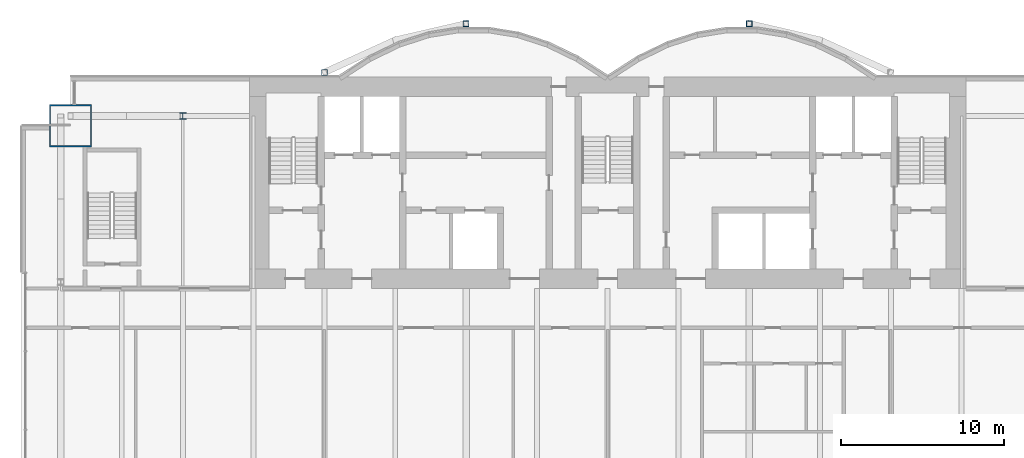
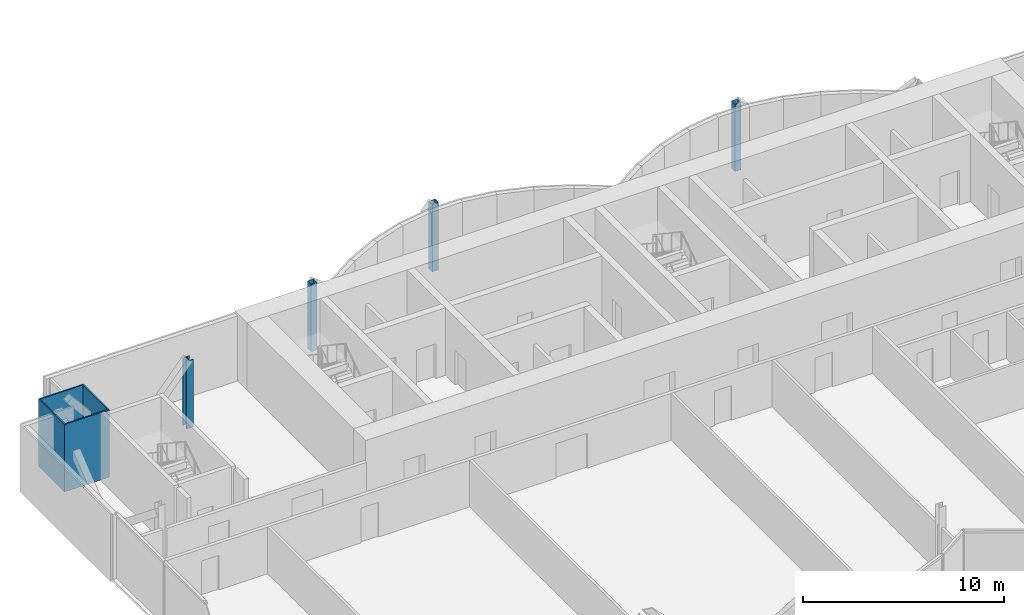
# One storey, part 3 of 21: 5 columns.
"""IFC4 building model written with IfcOpenShell, lengths in metres."""

from ifc_helpers import new_model, si_unit, direction, frame, origin, origin_2d, place, context, subcontext, project, spatial, hollow_rectangle, i_section, extrude, material, material_profile, profile_set, type_object, element, save


model = new_model("IFC4")

# Units and contexts
model_context = context("Model", 3, precision=1e-05, world=origin(), true_north=direction((0.0, 1.0)))
body_context = subcontext(model_context, "Body", "Model", "MODEL_VIEW")
ifc_project = project(units=[si_unit("LENGTHUNIT", "METRE"), si_unit("AREAUNIT", "SQUARE_METRE"), si_unit("VOLUMEUNIT", "CUBIC_METRE"), si_unit("PLANEANGLEUNIT", "RADIAN"), si_unit("MASSUNIT", "GRAM", prefix="KILO")], contexts=[model_context])

# Site, building, storey
site_placement = place(None, origin())
site = spatial("IfcSite", under=ifc_project, at=site_placement, CompositionType="ELEMENT")
building_placement = place(site_placement, origin())
building = spatial("IfcBuilding", under=site, at=building_placement, Name="Bicima Exchange Tower", CompositionType="ELEMENT")
storey_placement = place(building_placement, frame((0.0, 0.0, 165.0)))
storey = spatial("IfcBuildingStorey", under=building, at=storey_placement, Name="L36", CompositionType="ELEMENT", Elevation=165.0)

# Columns
ifc_material_1 = material(Name="Steel ASTM A572 Gr 50", Category="steel")
ifc_material_profile_1 = material_profile(ifc_material_1, hollow_rectangle(XDim=2.60009765625, YDim=2.60009765625, WallThickness=0.080078125, at=origin_2d()))
ifc_profile_set_1 = profile_set([ifc_material_profile_1], Name="Steel ASTM A572 Gr 50")
column_type_1 = type_object("IfcColumnType", Name="Mega column BOX 2600x2600x80", PredefinedType="COLUMN", material=ifc_profile_set_1)
column_1_placement = place(storey_placement, frame((-33.0, -3.0, 0.0), z_axis=(0.0, 0.0, 1.0), x_axis=(1.0, 0.0, 0.0)))
element("IfcColumn", 1, at=column_1_placement, inside=storey, type_object=column_type_1, Name="Mega column mega-33.0r", PredefinedType="COLUMN", context=body_context, shape_type="SweptSolid", body=[
    extrude(hollow_rectangle(XDim=2.60009765625, YDim=2.60009765625, WallThickness=0.080078125, at=origin_2d()), origin(), (0.0, 0.0, 1.0), 4.10009765625),
])
ifc_material_2 = material(Name="Steel ASTM A992 Gr 50", Category="steel")
ifc_material_profile_2 = material_profile(ifc_material_2, i_section(OverallWidth=0.396240234375, OverallDepth=0.381103515625, WebThickness=0.01904296875, FlangeThickness=0.0302734375, at=origin_2d()))
ifc_profile_set_2 = profile_set([ifc_material_profile_2], Name="Steel ASTM A992 Gr 50")
column_type_2 = type_object("IfcColumnType", Name="Perimeter column W14x159", PredefinedType="COLUMN", material=ifc_profile_set_2)
column_2_placement = place(storey_placement, frame((-26.10009765625, -2.39990234375, 0.0), z_axis=(0.0, 0.0, 1.0), x_axis=(1.0, 0.0, 0.0)))
element("IfcColumn", 2, at=column_2_placement, inside=storey, type_object=column_type_2, Name="Perimeter column grav-26.1r", PredefinedType="COLUMN", context=body_context, shape_type="SweptSolid", body=[
    extrude(i_section(OverallWidth=0.396240234375, OverallDepth=0.381103515625, WebThickness=0.01904296875, FlangeThickness=0.0302734375, at=origin_2d()), origin(), (0.0, 0.0, 1.0), 4.10009765625),
])
ifc_material_profile_3 = material_profile(ifc_material_1, hollow_rectangle(XDim=0.355712890625, YDim=0.355712890625, WallThickness=0.01171875, at=origin_2d()))
ifc_profile_set_3 = profile_set([ifc_material_profile_3], Name="Steel ASTM A572 Gr 50")
column_type_3 = type_object("IfcColumnType", Name="Rear pilaster HSS14x14x1/2", PredefinedType="COLUMN", material=ifc_profile_set_3)
for number, where, z_axis, x_axis, name in (
    (3, (-8.699951171875, 3.26904296875, 0.0), (0.0, 0.0, 1.0), (1.0, 0.0, 0.0), "Rear pilaster rexo-8.7r"),
    (4, (-17.39990234375, 0.278076171875, 0.0), (0.0, 0.0, 1.0), (1.0, 0.0, 0.0), "Rear pilaster rexo-17.4r"),
    (5, (8.699951171875, 3.26904296875, 0.0), (0.0, 0.0, 1.0), (1.0, 0.0, 0.0), "Rear pilaster rexo+8.7r"),
):
    element("IfcColumn", number, at=place(storey_placement, frame(where, z_axis=z_axis, x_axis=x_axis)), inside=storey, type_object=column_type_3, Name=name, PredefinedType="COLUMN", context=body_context, shape_type="SweptSolid", body=[
        extrude(hollow_rectangle(XDim=0.355712890625, YDim=0.355712890625, WallThickness=0.01171875, at=origin_2d()), origin(), (0.0, 0.0, 1.0), 4.10009765625),
    ])

save(model, "model.ifc")
